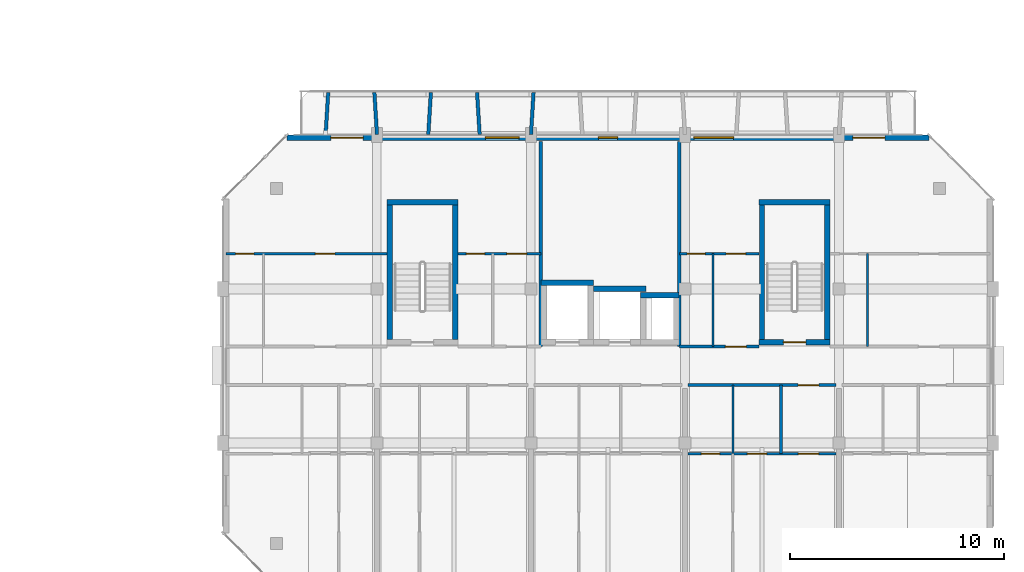
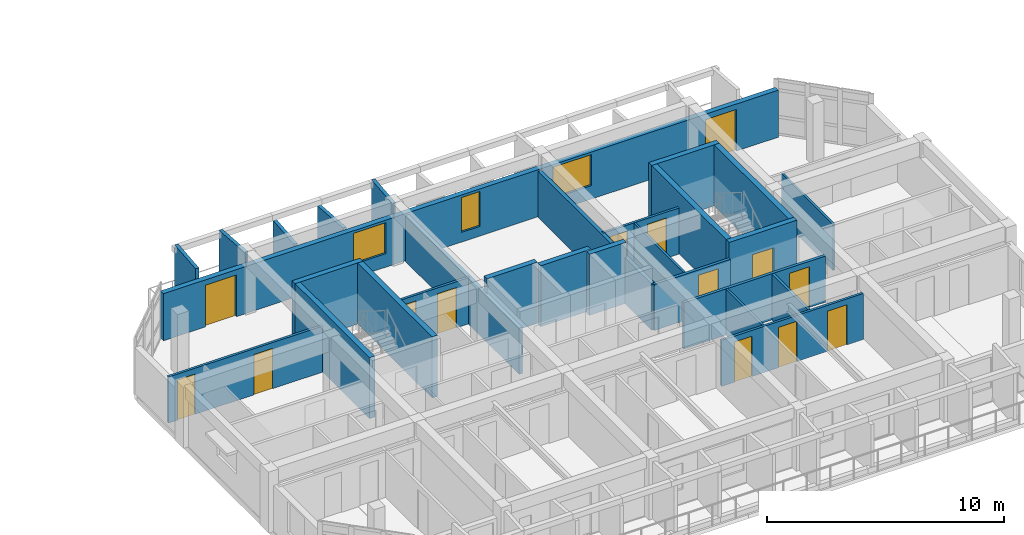
# One storey, part 23 of 43: 28 walls, 14 doors, 3 windows, 17 openings.
"""IFC4 building model written with IfcOpenShell, lengths in metres."""

from ifc_helpers import new_model, si_unit, direction, frame, frame_2d, origin, place, context, subcontext, project, spatial, rectangle, extrude, material, layer, layer_set, type_object, element, fill, save


model = new_model("IFC4")

# Units and contexts
model_context = context("Model", 3, precision=1e-05, world=origin(), true_north=direction((0.0, 1.0)))
body_context = subcontext(model_context, "Body", "Model", "MODEL_VIEW")
ifc_project = project(units=[si_unit("LENGTHUNIT", "METRE"), si_unit("AREAUNIT", "SQUARE_METRE"), si_unit("VOLUMEUNIT", "CUBIC_METRE"), si_unit("PLANEANGLEUNIT", "RADIAN"), si_unit("MASSUNIT", "GRAM", prefix="KILO")], contexts=[model_context])

# Site, building, storey
site_placement = place(None, origin())
site = spatial("IfcSite", under=ifc_project, at=site_placement, CompositionType="ELEMENT")
building_placement = place(site_placement, origin())
building = spatial("IfcBuilding", under=site, at=building_placement, Name="Ochrevale Crest", CompositionType="ELEMENT")
storey_placement = place(building_placement, frame((0.0, 0.0, 15.0)))
storey = spatial("IfcBuildingStorey", under=building, at=storey_placement, Name="L04", CompositionType="ELEMENT", Elevation=15.0)

# Wall, opening, door
ifc_material_1 = material(Name="Gypsum plasterboard", Category="gypsum")
ifc_layer_1 = layer(ifc_material_1, 0.139892578125)
ifc_layer_set_1 = layer_set([ifc_layer_1], Name="Gypsum plasterboard")
wall_type_1 = type_object("IfcWallType", Name="WL-COR-140", PredefinedType="PARTITIONING", material=ifc_layer_set_1)
wall_1_placement = place(storey_placement, frame((151.340087890625, 24.300048828125, 0.0), z_axis=(0.0, 0.0, 1.0), x_axis=(1.0, 0.0, 0.0)))
wall_1 = element("IfcWall", 1, at=wall_1_placement, inside=storey, type_object=wall_type_1, Name="Apartment C-L04-U4 corridor wall", PredefinedType="PARTITIONING", context=body_context, shape_type="SweptSolid", body=[
    extrude(rectangle(XDim=6.919921875, YDim=0.139892578125, at=frame_2d((3.4599609375, 0.0))), origin(), (0.0, 0.0, 1.0), 2.3798828125),
])
opening_1_placement = place(wall_1_placement, frame((6.125, 0.0, 0.0), z_axis=(0.0, 0.0, 1.0), x_axis=(-1.0, 0.0, 0.0)))
opening_1 = element("IfcOpeningElement", 2, at=opening_1_placement, cuts=wall_1, Name="Opening FD01", PredefinedType="OPENING", context=body_context, shape_type="SweptSolid", body=[
    extrude(rectangle(XDim=0.97998046875, YDim=2.10009765625, at=frame_2d((0.489990234375, 1.050048828125))), frame((0.0, 0.080078125, 0.0), z_axis=(0.0, -1.0, 0.0), x_axis=(1.0, 0.0, 0.0)), (0.0, 0.0, 1.0), 0.159912109375),
])
ifc_material_2 = material(Name="Solid-core FSC hardwood", Category="wood")
door_type_1 = type_object("IfcDoorType", Name="DR-APT-950", OperationType="NOTDEFINED", PredefinedType="DOOR", material=ifc_material_2)
door_1_placement = place(opening_1_placement, origin())
door_1 = element("IfcDoor", 3, at=door_1_placement, inside=storey, type_object=door_type_1, Name="Apartment C-L04-U4 entrance door", OperationType="SINGLE_SWING_RIGHT", OverallHeight=2.10009765625, OverallWidth=0.97998046875, PredefinedType="DOOR", context=body_context, shape_type="SweptSolid", body=[
    extrude(rectangle(XDim=0.97998046875, YDim=2.10009765625, at=frame_2d((0.489990234375, 1.050048828125))), frame((0.0, 0.02490234375, 0.0), z_axis=(0.0, -1.0, 0.0), x_axis=(1.0, 0.0, 0.0)), (0.0, 0.0, 1.0), 0.050048828125),
])
fill(opening_1, door_1)

wall_2_placement = place(storey_placement, frame((150.93994140625, 26.10009765625, 0.0), z_axis=(0.0, 0.0, 1.0), x_axis=(1.0, 0.0, 0.0)))
wall_2 = element("IfcWall", 4, at=wall_2_placement, inside=storey, type_object=wall_type_1, Name="Suite C-L04-ME corridor wall", PredefinedType="PARTITIONING", context=body_context, shape_type="SweptSolid", body=[
    extrude(rectangle(XDim=3.719970703125, YDim=0.139892578125, at=frame_2d((1.85986328125, 0.0))), origin(), (0.0, 0.0, 1.0), 2.3798828125),
])
opening_2_placement = place(wall_2_placement, frame((2.151123046875, 0.0, 0.0)))
opening_2 = element("IfcOpeningElement", 5, at=opening_2_placement, cuts=wall_2, Name="Opening FD01", PredefinedType="OPENING", context=body_context, shape_type="SweptSolid", body=[
    extrude(rectangle(XDim=0.97998046875, YDim=2.10009765625, at=frame_2d((0.489990234375, 1.050048828125))), frame((0.0, 0.080078125, 0.0), z_axis=(0.0, -1.0, 0.0), x_axis=(1.0, 0.0, 0.0)), (0.0, 0.0, 1.0), 0.159912109375),
])
door_2_placement = place(opening_2_placement, origin())
door_2 = element("IfcDoor", 6, at=door_2_placement, inside=storey, type_object=door_type_1, Name="Suite C-L04-ME entrance door", OperationType="SINGLE_SWING_LEFT", OverallHeight=2.10009765625, OverallWidth=0.97998046875, PredefinedType="DOOR", context=body_context, shape_type="SweptSolid", body=[
    extrude(rectangle(XDim=0.97998046875, YDim=2.10009765625, at=frame_2d((0.489990234375, 1.050048828125))), frame((0.0, 0.02490234375, 0.0), z_axis=(0.0, -1.0, 0.0), x_axis=(1.0, 0.0, 0.0)), (0.0, 0.0, 1.0), 0.050048828125),
])
fill(opening_2, door_2)

# Walls
ifc_material_3 = material(Name="Precast concrete C50/60", Category="concrete")
ifc_layer_2 = layer(ifc_material_3, 0.2548828125)
ifc_layer_set_2 = layer_set([ifc_layer_2], Name="Precast concrete C50/60")
wall_type_2 = type_object("IfcWallType", Name="WL-CORE-255", PredefinedType="SHEAR", material=ifc_layer_set_2)
wall_3_placement = place(storey_placement, frame((137.2724609375, 32.85009765625, 0.0), z_axis=(0.0, 0.0, 1.0), x_axis=(1.0, 0.0, 0.0)))
element("IfcWall", 7, at=wall_3_placement, inside=storey, type_object=wall_type_2, Name="Block C L04 Stair 1 precast core shear wall N", PredefinedType="SHEAR", context=body_context, shape_type="SweptSolid", body=[
    extrude(rectangle(XDim=3.304931640625, YDim=0.2548828125, at=frame_2d((1.65234375, 0.0))), origin(), (0.0, 0.0, 1.0), 3.14990234375),
])
for number, where, z_axis, x_axis, name in (
    (8, (137.39990234375, 26.427490234375, 0.0), (0.0, 0.0, 1.0), (0.0, 1.0, 0.0), "Block C L04 Stair 1 precast core shear wall W"),
    (9, (140.449951171875, 26.427490234375, 0.0), (0.0, 0.0, 1.0), (0.0, 1.0, 0.0), "Block C L04 Stair 1 precast core shear wall E"),
):
    element("IfcWall", number, at=place(storey_placement, frame(where, z_axis=z_axis, x_axis=x_axis)), inside=storey, type_object=wall_type_2, Name=name, PredefinedType="SHEAR", context=body_context, shape_type="SweptSolid", body=[
        extrude(rectangle(XDim=6.294921875, YDim=0.2548828125, at=frame_2d((3.1474609375, 0.0))), origin(), (0.0, 0.0, 1.0), 3.14990234375),
    ])

# Wall, opening, door
wall_4_placement = place(storey_placement, frame((154.672607421875, 26.300048828125, 0.0), z_axis=(0.0, 0.0, 1.0), x_axis=(1.0, 0.0, 0.0)))
wall_4 = element("IfcWall", 10, at=wall_4_placement, inside=storey, type_object=wall_type_2, Name="Block C L04 Stair 2 precast core shear wall S", PredefinedType="SHEAR", context=body_context, shape_type="SweptSolid", body=[
    extrude(rectangle(XDim=3.304931640625, YDim=0.2548828125, at=frame_2d((1.65234375, 0.0))), origin(), (0.0, 0.0, 1.0), 3.14990234375),
])
opening_3_placement = place(wall_4_placement, frame((1.12744140625, 0.0, 0.0)))
opening_3 = element("IfcOpeningElement", 11, at=opening_3_placement, cuts=wall_4, Name="Opening FD03", PredefinedType="OPENING", context=body_context, shape_type="SweptSolid", body=[
    extrude(rectangle(XDim=1.050048828125, YDim=2.1201171875, at=frame_2d((0.52490234375, 1.06005859375))), frame((0.0, 0.137451171875, 0.0), z_axis=(0.0, -1.0, 0.0), x_axis=(1.0, 0.0, 0.0)), (0.0, 0.0, 1.0), 0.27490234375),
])
door_type_2 = type_object("IfcDoorType", Name="DR-ST-1050", OperationType="NOTDEFINED", PredefinedType="DOOR", material=ifc_material_2)
door_3_placement = place(opening_3_placement, origin())
door_3 = element("IfcDoor", 12, at=door_3_placement, inside=storey, type_object=door_type_2, Name="Block C L04 fire stair 2 door", OperationType="SINGLE_SWING_LEFT", OverallHeight=2.1201171875, OverallWidth=1.050048828125, PredefinedType="DOOR", context=body_context, shape_type="SweptSolid", body=[
    extrude(rectangle(XDim=1.050048828125, YDim=2.1201171875, at=frame_2d((0.52490234375, 1.06005859375))), frame((0.0, 0.02490234375, 0.0), z_axis=(0.0, -1.0, 0.0), x_axis=(1.0, 0.0, 0.0)), (0.0, 0.0, 1.0), 0.050048828125),
])
fill(opening_3, door_3)

# Walls
wall_5_placement = place(storey_placement, frame((154.672607421875, 32.85009765625, 0.0), z_axis=(0.0, 0.0, 1.0), x_axis=(1.0, 0.0, 0.0)))
element("IfcWall", 13, at=wall_5_placement, inside=storey, type_object=wall_type_2, Name="Block C L04 Stair 2 precast core shear wall N", PredefinedType="SHEAR", context=body_context, shape_type="SweptSolid", body=[
    extrude(rectangle(XDim=3.304931640625, YDim=0.2548828125, at=frame_2d((1.65234375, 0.0))), origin(), (0.0, 0.0, 1.0), 3.14990234375),
])
for number, where, z_axis, x_axis, name in (
    (14, (154.800048828125, 26.427490234375, 0.0), (0.0, 0.0, 1.0), (0.0, 1.0, 0.0), "Block C L04 Stair 2 precast core shear wall W"),
    (15, (157.85009765625, 26.427490234375, 0.0), (0.0, 0.0, 1.0), (0.0, 1.0, 0.0), "Block C L04 Stair 2 precast core shear wall E"),
):
    element("IfcWall", number, at=place(storey_placement, frame(where, z_axis=z_axis, x_axis=x_axis)), inside=storey, type_object=wall_type_2, Name=name, PredefinedType="SHEAR", context=body_context, shape_type="SweptSolid", body=[
        extrude(rectangle(XDim=6.294921875, YDim=0.2548828125, at=frame_2d((3.1474609375, 0.0))), origin(), (0.0, 0.0, 1.0), 3.14990234375),
    ])
wall_6_placement = place(storey_placement, frame((144.472412109375, 29.10009765625, 0.0), z_axis=(0.0, 0.0, 1.0), x_axis=(1.0, 0.0, 0.0)))
element("IfcWall", 16, at=wall_6_placement, inside=storey, type_object=wall_type_2, Name="Block C L04 Lift 1 precast shaft shear wall N", PredefinedType="SHEAR", context=body_context, shape_type="SweptSolid", body=[
    extrude(rectangle(XDim=2.455078125, YDim=0.2548828125, at=frame_2d((1.2275390625, 0.0))), origin(), (0.0, 0.0, 1.0), 3.14990234375),
])
wall_7_placement = place(storey_placement, frame((146.922607421875, 28.800048828125, 0.0), z_axis=(0.0, 0.0, 1.0), x_axis=(1.0, 0.0, 0.0)))
element("IfcWall", 17, at=wall_7_placement, inside=storey, type_object=wall_type_2, Name="Block C L04 Lift 2 precast shaft shear wall N", PredefinedType="SHEAR", context=body_context, shape_type="SweptSolid", body=[
    extrude(rectangle(XDim=2.454833984375, YDim=0.2548828125, at=frame_2d((1.2275390625, 0.0))), origin(), (0.0, 0.0, 1.0), 3.14990234375),
])
wall_8_placement = place(storey_placement, frame((149.12255859375, 28.5, 0.0), z_axis=(0.0, 0.0, 1.0), x_axis=(1.0, 0.0, 0.0)))
element("IfcWall", 18, at=wall_8_placement, inside=storey, type_object=wall_type_2, Name="Block C L04 services riser shaft core wall N", PredefinedType="SHEAR", context=body_context, shape_type="SweptSolid", body=[
    extrude(rectangle(XDim=1.804931640625, YDim=0.2548828125, at=frame_2d((0.90234375, 0.0))), origin(), (0.0, 0.0, 1.0), 3.14990234375),
])

# Wall, openings, doors, windows
ifc_material_4 = material(Name="Precast concrete C40/50", Category="concrete")
ifc_layer_3 = layer(ifc_material_4, 0.25)
ifc_layer_set_3 = layer_set([ifc_layer_3], Name="Precast concrete C40/50")
wall_type_3 = type_object("IfcWallType", Name="WL-EXT-GOLD-250", PredefinedType="SOLIDWALL", material=ifc_layer_set_3)
wall_9_placement = place(storey_placement, frame((162.60009765625, 35.875, 0.0), z_axis=(0.0, 0.0, 1.0), x_axis=(-1.0, 0.0, 0.0)))
wall_9 = element("IfcWall", 19, at=wall_9_placement, inside=storey, type_object=wall_type_3, Name="Block C L04 external facade wall E5", PredefinedType="SOLIDWALL", context=body_context, shape_type="SweptSolid", body=[
    extrude(rectangle(XDim=30.0, YDim=0.25, at=frame_2d((15.0, 0.0))), origin(), (0.0, 0.0, 1.0), 2.429931640625),
])
opening_4_placement = place(wall_9_placement, frame((27.949951171875, 0.0, 0.0), z_axis=(0.0, 0.0, 1.0), x_axis=(-1.0, 0.0, 0.0)))
opening_4 = element("IfcOpeningElement", 20, at=opening_4_placement, cuts=wall_9, Name="Opening BD01", PredefinedType="OPENING", context=body_context, shape_type="SweptSolid", body=[
    extrude(rectangle(XDim=1.5, YDim=2.14990234375, at=frame_2d((0.75, 1.074951171875))), frame((0.0, 0.135009765625, 0.0), z_axis=(0.0, -1.0, 0.0), x_axis=(1.0, 0.0, 0.0)), (0.0, 0.0, 1.0), 0.27001953125),
])
opening_5_placement = place(wall_9_placement, frame((3.550048828125, 0.0, 0.0), z_axis=(0.0, 0.0, 1.0), x_axis=(-1.0, 0.0, 0.0)))
opening_5 = element("IfcOpeningElement", 21, at=opening_5_placement, cuts=wall_9, Name="Opening BD01", PredefinedType="OPENING", context=body_context, shape_type="SweptSolid", body=[
    extrude(rectangle(XDim=1.5, YDim=2.14990234375, at=frame_2d((0.75, 1.074951171875))), frame((0.0, 0.135009765625, 0.0), z_axis=(0.0, -1.0, 0.0), x_axis=(1.0, 0.0, 0.0)), (0.0, 0.0, 1.0), 0.27001953125),
])
opening_6_placement = place(wall_9_placement, frame((14.550048828125, 0.0, 0.5)))
opening_6 = element("IfcOpeningElement", 22, at=opening_6_placement, cuts=wall_9, Name="Opening W17", PredefinedType="OPENING", context=body_context, shape_type="SweptSolid", body=[
    extrude(rectangle(XDim=0.89990234375, YDim=1.800048828125, at=frame_2d((0.449951171875, 0.89990234375))), frame((0.0, 0.135009765625, 0.0), z_axis=(0.0, -1.0, 0.0), x_axis=(1.0, 0.0, 0.0)), (0.0, 0.0, 1.0), 0.27001953125),
])
opening_7_placement = place(wall_9_placement, frame((9.125, 0.0, 0.699951171875)))
opening_7 = element("IfcOpeningElement", 23, at=opening_7_placement, cuts=wall_9, Name="Opening W11", PredefinedType="OPENING", context=body_context, shape_type="SweptSolid", body=[
    extrude(rectangle(XDim=1.860107421875, YDim=1.60009765625, at=frame_2d((0.93017578125, 0.800048828125))), frame((0.0, 0.135009765625, 0.0), z_axis=(0.0, -1.0, 0.0), x_axis=(1.0, 0.0, 0.0)), (0.0, 0.0, 1.0), 0.27001953125),
])
opening_8_placement = place(wall_9_placement, frame((19.155029296875, 0.0, 0.699951171875)))
opening_8 = element("IfcOpeningElement", 24, at=opening_8_placement, cuts=wall_9, Name="Opening W09", PredefinedType="OPENING", context=body_context, shape_type="SweptSolid", body=[
    extrude(rectangle(XDim=1.580078125, YDim=1.60009765625, at=frame_2d((0.7900390625, 0.800048828125))), frame((0.0, 0.135009765625, 0.0), z_axis=(0.0, -1.0, 0.0), x_axis=(1.0, 0.0, 0.0)), (0.0, 0.0, 1.0), 0.27001953125),
])
ifc_material_5 = material(Name="Anodised aluminium 6063-T5 and toughened glass", Category="aluminium")
door_type_3 = type_object("IfcDoorType", Name="DR-BAL-1500", OperationType="NOTDEFINED", PredefinedType="DOOR", material=ifc_material_5)
door_4_placement = place(opening_4_placement, origin())
door_4 = element("IfcDoor", 25, at=door_4_placement, inside=storey, type_object=door_type_3, Name="Block C L04 balcony door N1", OperationType="SINGLE_SWING_RIGHT", OverallHeight=2.14990234375, OverallWidth=1.5, PredefinedType="DOOR", context=body_context, shape_type="SweptSolid", body=[
    extrude(rectangle(XDim=1.5, YDim=2.14990234375, at=frame_2d((0.75, 1.074951171875))), frame((0.0, 0.02490234375, 0.0), z_axis=(0.0, -1.0, 0.0), x_axis=(1.0, 0.0, 0.0)), (0.0, 0.0, 1.0), 0.050048828125),
])
fill(opening_4, door_4)
door_5_placement = place(opening_5_placement, origin())
door_5 = element("IfcDoor", 26, at=door_5_placement, inside=storey, type_object=door_type_3, Name="Block C L04 balcony door N5", OperationType="SINGLE_SWING_LEFT", OverallHeight=2.14990234375, OverallWidth=1.5, PredefinedType="DOOR", context=body_context, shape_type="SweptSolid", body=[
    extrude(rectangle(XDim=1.5, YDim=2.14990234375, at=frame_2d((0.75, 1.074951171875))), frame((0.0, 0.02490234375, 0.0), z_axis=(0.0, -1.0, 0.0), x_axis=(1.0, 0.0, 0.0)), (0.0, 0.0, 1.0), 0.050048828125),
])
fill(opening_5, door_5)
ifc_material_6 = material(Name="Anodised aluminium 6063-T5 and low-E double glazing", Category="aluminium")
window_type_1 = type_object("IfcWindowType", Name="WIN-W09", PartitioningType="SINGLE_PANEL", PredefinedType="WINDOW", material=ifc_material_6)
window_1_placement = place(opening_8_placement, origin())
window_1 = element("IfcWindow", 27, at=window_1_placement, inside=storey, type_object=window_type_1, Name="Block C L04 Suite C-L04-MW Courtyard Studio Living window", OverallHeight=1.60009765625, OverallWidth=1.580078125, PartitioningType="SINGLE_PANEL", PredefinedType="WINDOW", context=body_context, shape_type="SweptSolid", body=[
    extrude(rectangle(XDim=1.580078125, YDim=1.60009765625, at=frame_2d((0.7900390625, 0.800048828125))), frame((0.0, 0.030029296875, 0.0), z_axis=(0.0, -1.0, 0.0), x_axis=(1.0, 0.0, 0.0)), (0.0, 0.0, 1.0), 0.06005859375),
])
fill(opening_8, window_1)
window_type_2 = type_object("IfcWindowType", Name="WIN-W11", PartitioningType="SINGLE_PANEL", PredefinedType="WINDOW", material=ifc_material_6)
window_2_placement = place(opening_7_placement, origin())
window_2 = element("IfcWindow", 28, at=window_2_placement, inside=storey, type_object=window_type_2, Name="Block C L04 Suite C-L04-ME Garden Alcove Studio window", OverallHeight=1.60009765625, OverallWidth=1.860107421875, PartitioningType="SINGLE_PANEL", PredefinedType="WINDOW", context=body_context, shape_type="SweptSolid", body=[
    extrude(rectangle(XDim=1.860107421875, YDim=1.60009765625, at=frame_2d((0.93017578125, 0.800048828125))), frame((0.0, 0.030029296875, 0.0), z_axis=(0.0, -1.0, 0.0), x_axis=(1.0, 0.0, 0.0)), (0.0, 0.0, 1.0), 0.06005859375),
])
fill(opening_7, window_2)
window_type_3 = type_object("IfcWindowType", Name="WIN-W17", PartitioningType="SINGLE_PANEL", PredefinedType="WINDOW", material=ifc_material_6)
window_3_placement = place(opening_6_placement, origin())
window_3 = element("IfcWindow", 29, at=window_3_placement, inside=storey, type_object=window_type_3, Name="Block C L04 core lancet window", OverallHeight=1.800048828125, OverallWidth=0.89990234375, PartitioningType="SINGLE_PANEL", PredefinedType="WINDOW", context=body_context, shape_type="SweptSolid", body=[
    extrude(rectangle(XDim=0.89990234375, YDim=1.800048828125, at=frame_2d((0.449951171875, 0.89990234375))), frame((0.0, 0.030029296875, 0.0), z_axis=(0.0, -1.0, 0.0), x_axis=(1.0, 0.0, 0.0)), (0.0, 0.0, 1.0), 0.06005859375),
])
fill(opening_6, window_3)

# Walls
ifc_layer_4 = layer(ifc_material_4, 0.1650390625)
ifc_layer_set_4 = layer_set([ifc_layer_4], Name="Precast concrete C40/50")
wall_type_4 = type_object("IfcWallType", Name="WL-HC-CHEEK-165", PredefinedType="ELEMENTEDWALL", material=ifc_layer_set_4)
for number, where, z_axis, x_axis, name in (
    (30, (134.39990234375, 36.02001953125, 0.0), (0.0, 0.0, 1.0), (0.061170732449, 0.998127317276, 0.0), "Block C L04 N precast honeycomb cheek 1"),
    (31, (136.800048828125, 36.02001953125, 0.0), (0.0, 0.0, 1.0), (-0.061170732449, 0.998127317276, 0.0), "Block C L04 N precast honeycomb cheek 2"),
):
    element("IfcWall", number, at=place(storey_placement, frame(where, z_axis=z_axis, x_axis=x_axis)), inside=storey, type_object=wall_type_4, Name=name, PredefinedType="ELEMENTEDWALL", context=body_context, shape_type="SweptSolid", body=[
        extrude(rectangle(XDim=1.963623046875, YDim=0.1650390625, at=frame_2d((0.98193359375, 0.0))), origin(), (0.0, 0.0, 1.0), 2.949951171875),
    ])
for number, where, z_axis, x_axis, name in (
    (32, (139.199951171875, 36.02001953125, 0.0), (0.0, 0.0, 1.0), (0.061170732449, 0.998127317276, 0.0), "Block C L04 N precast honeycomb cheek 3"),
    (33, (141.60009765625, 36.02001953125, 0.0), (0.0, 0.0, 1.0), (-0.061170732449, 0.998127317276, 0.0), "Block C L04 N precast honeycomb cheek 4"),
):
    element("IfcWall", number, at=place(storey_placement, frame(where, z_axis=z_axis, x_axis=x_axis)), inside=storey, type_object=wall_type_4, Name=name, PredefinedType="ELEMENTEDWALL", context=body_context, shape_type="SweptSolid", body=[
        extrude(rectangle(XDim=1.963623046875, YDim=0.1650390625, at=frame_2d((0.98193359375, 0.0))), origin(), (0.0, 0.0, 1.0), 2.530029296875),
    ])
wall_10_placement = place(storey_placement, frame((144.0, 36.02001953125, 0.0), z_axis=(0.0, 0.0, 1.0), x_axis=(0.061170732449, 0.998127317276, 0.0)))
element("IfcWall", 34, at=wall_10_placement, inside=storey, type_object=wall_type_4, Name="Block C L04 N precast honeycomb cheek 5", PredefinedType="ELEMENTEDWALL", context=body_context, shape_type="SweptSolid", body=[
    extrude(rectangle(XDim=1.963623046875, YDim=0.1650390625, at=frame_2d((0.98193359375, 0.0))), origin(), (0.0, 0.0, 1.0), 2.949951171875),
])
ifc_layer_5 = layer(ifc_material_1, 0.1201171875)
ifc_layer_set_5 = layer_set([ifc_layer_5], Name="Gypsum plasterboard")
wall_type_5 = type_object("IfcWallType", Name="WL-PART-120", PredefinedType="PARTITIONING", material=ifc_layer_set_5)
wall_11_placement = place(storey_placement, frame((155.68994140625, 21.10009765625, 0.0), z_axis=(0.0, 0.0, 1.0), x_axis=(0.0, 1.0, 0.0)))
element("IfcWall", 35, at=wall_11_placement, inside=storey, type_object=wall_type_5, Name="Apartment C-L04-U4 kitchen-foyer wall", PredefinedType="PARTITIONING", context=body_context, shape_type="SweptSolid", body=[
    extrude(rectangle(XDim=3.199951171875, YDim=0.1201171875, at=frame_2d((1.60009765625, 0.0))), origin(), (0.0, 0.0, 1.0), 2.375),
])

# Wall, openings, doors
wall_12_placement = place(storey_placement, frame((151.340087890625, 21.10009765625, 0.0), z_axis=(0.0, 0.0, 1.0), x_axis=(1.0, 0.0, 0.0)))
wall_12 = element("IfcWall", 36, at=wall_12_placement, inside=storey, type_object=wall_type_5, Name="Apartment C-L04-U4 central partition", PredefinedType="PARTITIONING", context=body_context, shape_type="SweptSolid", body=[
    extrude(rectangle(XDim=6.919921875, YDim=0.1201171875, at=frame_2d((3.4599609375, 0.0))), origin(), (0.0, 0.0, 1.0), 2.3798828125),
])
opening_9_placement = place(wall_12_placement, frame((0.625, 0.0, 0.0)))
opening_9 = element("IfcOpeningElement", 37, at=opening_9_placement, cuts=wall_12, Name="Opening ID01", PredefinedType="OPENING", context=body_context, shape_type="SweptSolid", body=[
    extrude(rectangle(XDim=0.85009765625, YDim=2.080078125, at=frame_2d((0.425048828125, 1.0400390625))), frame((0.0, 0.070068359375, 0.0), z_axis=(0.0, -1.0, 0.0), x_axis=(1.0, 0.0, 0.0)), (0.0, 0.0, 1.0), 0.14013671875),
])
opening_10_placement = place(wall_12_placement, frame((3.6748046875, 0.0, 0.0), z_axis=(0.0, 0.0, 1.0), x_axis=(-1.0, 0.0, 0.0)))
opening_10 = element("IfcOpeningElement", 38, at=opening_10_placement, cuts=wall_12, Name="Opening ID02", PredefinedType="OPENING", context=body_context, shape_type="SweptSolid", body=[
    extrude(rectangle(XDim=0.89990234375, YDim=2.080078125, at=frame_2d((0.449951171875, 1.0400390625))), frame((0.0, 0.070068359375, 0.0), z_axis=(0.0, -1.0, 0.0), x_axis=(1.0, 0.0, 0.0)), (0.0, 0.0, 1.0), 0.14013671875),
])
opening_11_placement = place(wall_12_placement, frame((5.159912109375, 0.0, 0.0)))
opening_11 = element("IfcOpeningElement", 39, at=opening_11_placement, cuts=wall_12, Name="Opening ID06", PredefinedType="OPENING", context=body_context, shape_type="SweptSolid", body=[
    extrude(rectangle(XDim=0.949951171875, YDim=2.080078125, at=frame_2d((0.47509765625, 1.0400390625))), frame((0.0, 0.070068359375, 0.0), z_axis=(0.0, -1.0, 0.0), x_axis=(1.0, 0.0, 0.0)), (0.0, 0.0, 1.0), 0.14013671875),
])
door_type_4 = type_object("IfcDoorType", Name="DR-INT-900", OperationType="NOTDEFINED", PredefinedType="DOOR", material=ifc_material_2)
door_6_placement = place(opening_10_placement, origin())
door_6 = element("IfcDoor", 40, at=door_6_placement, inside=storey, type_object=door_type_4, Name="Apartment C-L04-U4 Kitchen door", OperationType="SINGLE_SWING_RIGHT", OverallHeight=2.080078125, OverallWidth=0.89990234375, PredefinedType="DOOR", context=body_context, shape_type="SweptSolid", body=[
    extrude(rectangle(XDim=0.89990234375, YDim=2.080078125, at=frame_2d((0.449951171875, 1.0400390625))), frame((0.0, 0.02490234375, 0.0), z_axis=(0.0, -1.0, 0.0), x_axis=(1.0, 0.0, 0.0)), (0.0, 0.0, 1.0), 0.050048828125),
])
fill(opening_10, door_6)
door_type_5 = type_object("IfcDoorType", Name="DR-INT-950", OperationType="NOTDEFINED", PredefinedType="DOOR", material=ifc_material_2)
door_7_placement = place(opening_11_placement, origin())
door_7 = element("IfcDoor", 41, at=door_7_placement, inside=storey, type_object=door_type_5, Name="Apartment C-L04-U4 Living Foyer door", OperationType="SINGLE_SWING_LEFT", OverallHeight=2.080078125, OverallWidth=0.949951171875, PredefinedType="DOOR", context=body_context, shape_type="SweptSolid", body=[
    extrude(rectangle(XDim=0.949951171875, YDim=2.080078125, at=frame_2d((0.47509765625, 1.0400390625))), frame((0.0, 0.02490234375, 0.0), z_axis=(0.0, -1.0, 0.0), x_axis=(1.0, 0.0, 0.0)), (0.0, 0.0, 1.0), 0.050048828125),
])
fill(opening_11, door_7)
door_type_6 = type_object("IfcDoorType", Name="DR-WC-850", OperationType="NOTDEFINED", PredefinedType="DOOR", material=ifc_material_2)
door_8_placement = place(opening_9_placement, origin())
door_8 = element("IfcDoor", 42, at=door_8_placement, inside=storey, type_object=door_type_6, Name="Apartment C-L04-U4 Bathroom door", OperationType="SINGLE_SWING_LEFT", OverallHeight=2.080078125, OverallWidth=0.85009765625, PredefinedType="DOOR", context=body_context, shape_type="SweptSolid", body=[
    extrude(rectangle(XDim=0.85009765625, YDim=2.080078125, at=frame_2d((0.425048828125, 1.0400390625))), frame((0.0, 0.02490234375, 0.0), z_axis=(0.0, -1.0, 0.0), x_axis=(1.0, 0.0, 0.0)), (0.0, 0.0, 1.0), 0.050048828125),
])
fill(opening_9, door_8)

wall_13_placement = place(storey_placement, frame((129.739990234375, 30.449951171875, 0.0), z_axis=(0.0, 0.0, 1.0), x_axis=(1.0, 0.0, 0.0)))
wall_13 = element("IfcWall", 43, at=wall_13_placement, inside=storey, type_object=wall_type_5, Name="Suite C-L04-CW internal wall", PredefinedType="PARTITIONING", context=body_context, shape_type="SweptSolid", body=[
    extrude(rectangle(XDim=7.52001953125, YDim=0.1201171875, at=frame_2d((3.760009765625, 0.0))), origin(), (0.0, 0.0, 1.0), 2.3798828125),
])
opening_12_placement = place(wall_13_placement, frame((1.300048828125, 0.0, 0.0), z_axis=(0.0, 0.0, 1.0), x_axis=(-1.0, 0.0, 0.0)))
opening_12 = element("IfcOpeningElement", 44, at=opening_12_placement, cuts=wall_13, Name="Opening ID01", PredefinedType="OPENING", context=body_context, shape_type="SweptSolid", body=[
    extrude(rectangle(XDim=0.85009765625, YDim=2.080078125, at=frame_2d((0.425048828125, 1.0400390625))), frame((0.0, 0.070068359375, 0.0), z_axis=(0.0, -1.0, 0.0), x_axis=(1.0, 0.0, 0.0)), (0.0, 0.0, 1.0), 0.14013671875),
])
opening_13_placement = place(wall_13_placement, frame((4.175048828125, 0.0, 0.0)))
opening_13 = element("IfcOpeningElement", 45, at=opening_13_placement, cuts=wall_13, Name="Opening ID04", PredefinedType="OPENING", context=body_context, shape_type="SweptSolid", body=[
    extrude(rectangle(XDim=0.919921875, YDim=2.080078125, at=frame_2d((0.4599609375, 1.0400390625))), frame((0.0, 0.070068359375, 0.0), z_axis=(0.0, -1.0, 0.0), x_axis=(1.0, 0.0, 0.0)), (0.0, 0.0, 1.0), 0.14013671875),
])
door_type_7 = type_object("IfcDoorType", Name="DR-INT-920", OperationType="NOTDEFINED", PredefinedType="DOOR", material=ifc_material_2)
door_9_placement = place(opening_13_placement, origin())
door_9 = element("IfcDoor", 46, at=door_9_placement, inside=storey, type_object=door_type_7, Name="Suite C-L04-CW Garden Alcove Studio door", OperationType="SINGLE_SWING_LEFT", OverallHeight=2.080078125, OverallWidth=0.919921875, PredefinedType="DOOR", context=body_context, shape_type="SweptSolid", body=[
    extrude(rectangle(XDim=0.919921875, YDim=2.080078125, at=frame_2d((0.4599609375, 1.0400390625))), frame((0.0, 0.02490234375, 0.0), z_axis=(0.0, -1.0, 0.0), x_axis=(1.0, 0.0, 0.0)), (0.0, 0.0, 1.0), 0.050048828125),
])
fill(opening_13, door_9)
door_10_placement = place(opening_12_placement, origin())
door_10 = element("IfcDoor", 47, at=door_10_placement, inside=storey, type_object=door_type_6, Name="Suite C-L04-CW Bathroom door", OperationType="SINGLE_SWING_RIGHT", OverallHeight=2.080078125, OverallWidth=0.85009765625, PredefinedType="DOOR", context=body_context, shape_type="SweptSolid", body=[
    extrude(rectangle(XDim=0.85009765625, YDim=2.080078125, at=frame_2d((0.425048828125, 1.0400390625))), frame((0.0, 0.02490234375, 0.0), z_axis=(0.0, -1.0, 0.0), x_axis=(1.0, 0.0, 0.0)), (0.0, 0.0, 1.0), 0.050048828125),
])
fill(opening_12, door_10)

wall_14_placement = place(storey_placement, frame((140.590087890625, 30.449951171875, 0.0), z_axis=(0.0, 0.0, 1.0), x_axis=(1.0, 0.0, 0.0)))
wall_14 = element("IfcWall", 48, at=wall_14_placement, inside=storey, type_object=wall_type_5, Name="Suite C-L04-MW internal wall", PredefinedType="PARTITIONING", context=body_context, shape_type="SweptSolid", body=[
    extrude(rectangle(XDim=3.869873046875, YDim=0.1201171875, at=frame_2d((1.93505859375, 0.0))), origin(), (0.0, 0.0, 1.0), 2.3798828125),
])
opening_14_placement = place(wall_14_placement, frame((0.3876953125, 0.0, 0.0)))
opening_14 = element("IfcOpeningElement", 49, at=opening_14_placement, cuts=wall_14, Name="Opening ID01", PredefinedType="OPENING", context=body_context, shape_type="SweptSolid", body=[
    extrude(rectangle(XDim=0.85009765625, YDim=2.080078125, at=frame_2d((0.425048828125, 1.0400390625))), frame((0.0, 0.070068359375, 0.0), z_axis=(0.0, -1.0, 0.0), x_axis=(1.0, 0.0, 0.0)), (0.0, 0.0, 1.0), 0.14013671875),
])
opening_15_placement = place(wall_14_placement, frame((3.20751953125, 0.0, 0.0), z_axis=(0.0, 0.0, 1.0), x_axis=(-1.0, 0.0, 0.0)))
opening_15 = element("IfcOpeningElement", 50, at=opening_15_placement, cuts=wall_14, Name="Opening ID04", PredefinedType="OPENING", context=body_context, shape_type="SweptSolid", body=[
    extrude(rectangle(XDim=0.919921875, YDim=2.080078125, at=frame_2d((0.4599609375, 1.0400390625))), frame((0.0, 0.070068359375, 0.0), z_axis=(0.0, -1.0, 0.0), x_axis=(1.0, 0.0, 0.0)), (0.0, 0.0, 1.0), 0.14013671875),
])
door_11_placement = place(opening_15_placement, origin())
door_11 = element("IfcDoor", 51, at=door_11_placement, inside=storey, type_object=door_type_7, Name="Suite C-L04-MW Courtyard Studio Living door", OperationType="SINGLE_SWING_RIGHT", OverallHeight=2.080078125, OverallWidth=0.919921875, PredefinedType="DOOR", context=body_context, shape_type="SweptSolid", body=[
    extrude(rectangle(XDim=0.919921875, YDim=2.080078125, at=frame_2d((0.4599609375, 1.0400390625))), frame((0.0, 0.02490234375, 0.0), z_axis=(0.0, -1.0, 0.0), x_axis=(1.0, 0.0, 0.0)), (0.0, 0.0, 1.0), 0.050048828125),
])
fill(opening_15, door_11)
door_12_placement = place(opening_14_placement, origin())
door_12 = element("IfcDoor", 52, at=door_12_placement, inside=storey, type_object=door_type_6, Name="Suite C-L04-MW Bathroom door", OperationType="SINGLE_SWING_LEFT", OverallHeight=2.080078125, OverallWidth=0.85009765625, PredefinedType="DOOR", context=body_context, shape_type="SweptSolid", body=[
    extrude(rectangle(XDim=0.85009765625, YDim=2.080078125, at=frame_2d((0.425048828125, 1.0400390625))), frame((0.0, 0.02490234375, 0.0), z_axis=(0.0, -1.0, 0.0), x_axis=(1.0, 0.0, 0.0)), (0.0, 0.0, 1.0), 0.050048828125),
])
fill(opening_14, door_12)

wall_15_placement = place(storey_placement, frame((150.93994140625, 30.449951171875, 0.0), z_axis=(0.0, 0.0, 1.0), x_axis=(1.0, 0.0, 0.0)))
wall_15 = element("IfcWall", 53, at=wall_15_placement, inside=storey, type_object=wall_type_5, Name="Suite C-L04-ME internal wall", PredefinedType="PARTITIONING", context=body_context, shape_type="SweptSolid", body=[
    extrude(rectangle(XDim=3.719970703125, YDim=0.1201171875, at=frame_2d((1.85986328125, 0.0))), origin(), (0.0, 0.0, 1.0), 2.3798828125),
])
opening_16_placement = place(wall_15_placement, frame((1.206298828125, 0.0, 0.0), z_axis=(0.0, 0.0, 1.0), x_axis=(-1.0, 0.0, 0.0)))
opening_16 = element("IfcOpeningElement", 54, at=opening_16_placement, cuts=wall_15, Name="Opening ID01", PredefinedType="OPENING", context=body_context, shape_type="SweptSolid", body=[
    extrude(rectangle(XDim=0.85009765625, YDim=2.080078125, at=frame_2d((0.425048828125, 1.0400390625))), frame((0.0, 0.070068359375, 0.0), z_axis=(0.0, -1.0, 0.0), x_axis=(1.0, 0.0, 0.0)), (0.0, 0.0, 1.0), 0.14013671875),
])
opening_17_placement = place(wall_15_placement, frame((2.18115234375, 0.0, 0.0)))
opening_17 = element("IfcOpeningElement", 55, at=opening_17_placement, cuts=wall_15, Name="Opening ID04", PredefinedType="OPENING", context=body_context, shape_type="SweptSolid", body=[
    extrude(rectangle(XDim=0.919921875, YDim=2.080078125, at=frame_2d((0.4599609375, 1.0400390625))), frame((0.0, 0.070068359375, 0.0), z_axis=(0.0, -1.0, 0.0), x_axis=(1.0, 0.0, 0.0)), (0.0, 0.0, 1.0), 0.14013671875),
])
door_13_placement = place(opening_17_placement, origin())
door_13 = element("IfcDoor", 56, at=door_13_placement, inside=storey, type_object=door_type_7, Name="Suite C-L04-ME Garden Alcove Studio door", OperationType="SINGLE_SWING_LEFT", OverallHeight=2.080078125, OverallWidth=0.919921875, PredefinedType="DOOR", context=body_context, shape_type="SweptSolid", body=[
    extrude(rectangle(XDim=0.919921875, YDim=2.080078125, at=frame_2d((0.4599609375, 1.0400390625))), frame((0.0, 0.02490234375, 0.0), z_axis=(0.0, -1.0, 0.0), x_axis=(1.0, 0.0, 0.0)), (0.0, 0.0, 1.0), 0.050048828125),
])
fill(opening_17, door_13)
door_14_placement = place(opening_16_placement, origin())
door_14 = element("IfcDoor", 57, at=door_14_placement, inside=storey, type_object=door_type_6, Name="Suite C-L04-ME Bathroom door", OperationType="SINGLE_SWING_RIGHT", OverallHeight=2.080078125, OverallWidth=0.85009765625, PredefinedType="DOOR", context=body_context, shape_type="SweptSolid", body=[
    extrude(rectangle(XDim=0.85009765625, YDim=2.080078125, at=frame_2d((0.425048828125, 1.0400390625))), frame((0.0, 0.02490234375, 0.0), z_axis=(0.0, -1.0, 0.0), x_axis=(1.0, 0.0, 0.0)), (0.0, 0.0, 1.0), 0.050048828125),
])
fill(opening_16, door_14)

# Walls
ifc_layer_6 = layer(ifc_material_1, 0.169921875)
ifc_layer_set_6 = layer_set([ifc_layer_6], Name="Gypsum plasterboard")
wall_type_6 = type_object("IfcWallType", Name="WL-TEN-170", PredefinedType="PARTITIONING", material=ifc_layer_set_6)
for number, where, z_axis, x_axis, name in (
    (58, (144.4599609375, 26.10009765625, 0.0), (0.0, 0.0, 1.0), (0.0, 1.0, 0.0), "Suite C-L04-MW east party wall"),
    (59, (150.93994140625, 26.10009765625, 0.0), (0.0, 0.0, 1.0), (0.0, 1.0, 0.0), "Suite C-L04-ME west party wall"),
):
    element("IfcWall", number, at=place(storey_placement, frame(where, z_axis=z_axis, x_axis=x_axis)), inside=storey, type_object=wall_type_6, Name=name, PredefinedType="PARTITIONING", context=body_context, shape_type="SweptSolid", body=[
        extrude(rectangle(XDim=9.599853515625, YDim=0.169921875, at=frame_2d((4.7998046875, 0.0))), origin(), (0.0, 0.0, 1.0), 2.3798828125),
    ])
ifc_layer_7 = layer(ifc_material_1, 0.10009765625)
ifc_layer_set_7 = layer_set([ifc_layer_7], Name="Gypsum plasterboard")
wall_type_7 = type_object("IfcWallType", Name="WL-WET-100", PredefinedType="PARTITIONING", material=ifc_layer_set_7)
wall_16_placement = place(storey_placement, frame((153.43994140625, 21.10009765625, 0.0), z_axis=(0.0, 0.0, 1.0), x_axis=(0.0, 1.0, 0.0)))
element("IfcWall", 60, at=wall_16_placement, inside=storey, type_object=wall_type_7, Name="Apartment C-L04-U4 bath-kitchen wall", PredefinedType="PARTITIONING", context=body_context, shape_type="SweptSolid", body=[
    extrude(rectangle(XDim=3.199951171875, YDim=0.10009765625, at=frame_2d((1.60009765625, 0.0))), origin(), (0.0, 0.0, 1.0), 2.375),
])
for number, where, z_axis, x_axis, name in (
    (61, (152.50244140625, 26.10009765625, 0.0), (0.0, 0.0, 1.0), (0.0, 1.0, 0.0), "Suite C-L04-ME bathroom divider"),
    (62, (159.739990234375, 26.10009765625, 0.0), (0.0, 0.0, 1.0), (0.0, 1.0, 0.0), "Suite C-L04-CE bathroom divider"),
):
    element("IfcWall", number, at=place(storey_placement, frame(where, z_axis=z_axis, x_axis=x_axis)), inside=storey, type_object=wall_type_7, Name=name, PredefinedType="PARTITIONING", context=body_context, shape_type="SweptSolid", body=[
        extrude(rectangle(XDim=4.349853515625, YDim=0.10009765625, at=frame_2d((2.1748046875, 0.0))), origin(), (0.0, 0.0, 1.0), 2.375),
    ])

save(model, "model.ifc")
